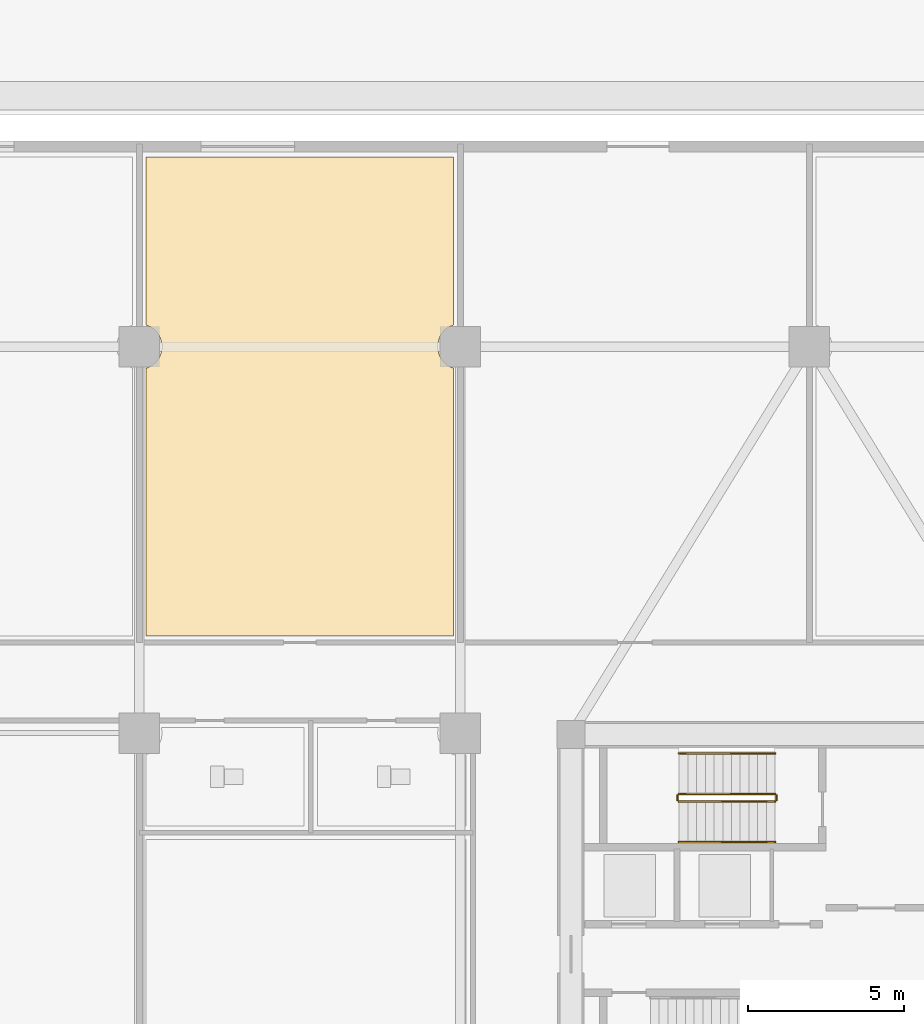
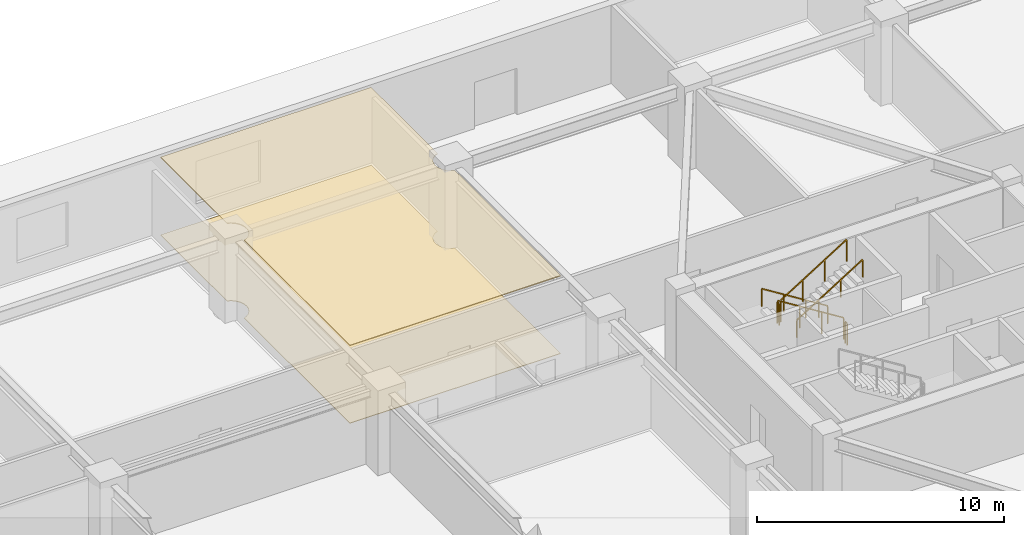
# One storey, part 19 of 22: 6 railings, 2 coverings.
"""IFC4 building model written with IfcOpenShell, lengths in metres."""

from ifc_helpers import new_model, si_unit, direction, frame, origin, origin_2d, place, context, subcontext, project, spatial, polyline, rectangle, outline, extrude, material, layer, layer_set, type_object, element, save


model = new_model("IFC4")

# Units and contexts
model_context = context("Model", 3, precision=1e-05, world=origin(), true_north=direction((0.0, 1.0)))
body_context = subcontext(model_context, "Body", "Model", "MODEL_VIEW")
ifc_project = project(units=[si_unit("LENGTHUNIT", "METRE"), si_unit("AREAUNIT", "SQUARE_METRE"), si_unit("VOLUMEUNIT", "CUBIC_METRE"), si_unit("PLANEANGLEUNIT", "RADIAN"), si_unit("MASSUNIT", "GRAM", prefix="KILO")], contexts=[model_context])

# Site, building, storey
site_placement = place(None, origin())
site = spatial("IfcSite", under=ifc_project, at=site_placement, CompositionType="ELEMENT")
building_placement = place(site_placement, origin())
building = spatial("IfcBuilding", under=site, at=building_placement, Name="Norrkilde Senior Care Towers", CompositionType="ELEMENT")
storey_placement = place(building_placement, origin())
storey = spatial("IfcBuildingStorey", under=building, at=storey_placement, Name="L00", CompositionType="ELEMENT", Elevation=0.0)

# Coverings
ifc_material_1 = material(Name="Nordic Ash Timber", Category="wood")
ifc_layer_1 = layer(ifc_material_1, 0.044921875)
ifc_layer_set_1 = layer_set([ifc_layer_1], Name="Nordic Ash Timber")
covering_type_1 = type_object("IfcCoveringType", Name="Acoustic Ash Timber Slatted Ceiling 45", PredefinedType="CEILING", material=ifc_layer_set_1)
covering_1_placement = place(storey_placement, frame((0.0, 0.0, 3.8349609375)))
element("IfcCovering", 1, at=covering_1_placement, inside=storey, type_object=covering_type_1, Name="L00 Suspended Ceiling 0016", PredefinedType="CEILING", context=body_context, shape_type="SweptSolid", body=[
    extrude(outline(polyline([(6.719970703125, 9.1201171875), (6.719970703125, 17.707763671875), (6.864990234375, 17.767822265625), (7.01611328125, 17.8837890625), (7.132080078125, 18.034912109375), (7.205078125, 18.211181640625), (7.22998046875, 18.39990234375), (7.205078125, 18.5888671875), (7.132080078125, 18.764892578125), (7.01611328125, 18.916259765625), (6.864990234375, 19.0322265625), (6.719970703125, 19.09228515625), (6.719970703125, 24.47998046875), (16.580078125, 24.47998046875), (16.580078125, 19.09228515625), (16.43505859375, 19.0322265625), (16.28369140625, 18.916259765625), (16.167724609375, 18.764892578125), (16.094970703125, 18.5888671875), (16.070068359375, 18.39990234375), (16.094970703125, 18.211181640625), (16.167724609375, 18.034912109375), (16.28369140625, 17.8837890625), (16.43505859375, 17.767822265625), (16.580078125, 17.707763671875), (16.580078125, 9.1201171875), (6.719970703125, 9.1201171875)])), origin(), (0.0, 0.0, 1.0), 0.044921875),
])
ifc_material_2 = material(Name="Slip-Resistant Porcelain Stone", Category="masonry")
ifc_layer_2 = layer(ifc_material_2, 0.02490234375)
ifc_layer_set_2 = layer_set([ifc_layer_2], Name="Slip-Resistant Porcelain Stone")
covering_type_2 = type_object("IfcCoveringType", Name="Slip-Resistant Porcelain Flooring 25", PredefinedType="FLOORING", material=ifc_layer_set_2)
covering_2_placement = place(storey_placement, origin())
element("IfcCovering", 2, at=covering_2_placement, inside=storey, type_object=covering_type_2, Name="L00 Floor Finish 0016", PredefinedType="FLOORING", context=body_context, shape_type="SweptSolid", body=[
    extrude(outline(polyline([(6.719970703125, 9.1201171875), (6.719970703125, 17.707763671875), (6.864990234375, 17.767822265625), (7.01611328125, 17.8837890625), (7.132080078125, 18.034912109375), (7.205078125, 18.211181640625), (7.22998046875, 18.39990234375), (7.205078125, 18.5888671875), (7.132080078125, 18.764892578125), (7.01611328125, 18.916259765625), (6.864990234375, 19.0322265625), (6.719970703125, 19.09228515625), (6.719970703125, 24.47998046875), (16.580078125, 24.47998046875), (16.580078125, 19.09228515625), (16.43505859375, 19.0322265625), (16.28369140625, 18.916259765625), (16.167724609375, 18.764892578125), (16.094970703125, 18.5888671875), (16.070068359375, 18.39990234375), (16.094970703125, 18.211181640625), (16.167724609375, 18.034912109375), (16.28369140625, 17.8837890625), (16.43505859375, 17.767822265625), (16.580078125, 17.707763671875), (16.580078125, 9.1201171875), (6.719970703125, 9.1201171875)])), origin(), (0.0, 0.0, 1.0), 0.02490234375),
])

# Railings
ifc_material_3 = material(Name="Stainless Steel", Category="steel")
railing_type_1 = type_object("IfcRailingType", Name="Stair and Terrace Guardrail 1100", PredefinedType="GUARDRAIL", material=ifc_material_3)
railing_1_placement = place(storey_placement, frame((26.89990234375, 4.050048828125, 0.175048828125)))
element("IfcRailing", 3, at=railing_1_placement, inside=storey, type_object=railing_type_1, Name="L00 ST-E1 stair guard 1", PredefinedType="GUARDRAIL", context=body_context, shape_type="SweptSolid", body=[
    extrude(rectangle(XDim=0.048095703125, YDim=0.048095703125, at=origin_2d()), frame((0.0, 0.0, 1.076171875), z_axis=(-0.847979421464, 0.0, 0.530029150871), x_axis=(0.0, -1.0, 0.0)), (0.0, 0.0, 1.0), 3.632080078125),
    extrude(rectangle(XDim=0.0419921875, YDim=0.0419921875, at=origin_2d()), origin(), (0.0, 0.0, 1.0), 1.050048828125),
    extrude(rectangle(XDim=0.0419921875, YDim=0.0419921875, at=origin_2d()), frame((-1.026611328125, 0.0, 0.6416015625)), (0.0, 0.0, 1.0), 1.050048828125),
    extrude(rectangle(XDim=0.0419921875, YDim=0.0419921875, at=origin_2d()), frame((-2.05322265625, 0.0, 1.283447265625)), (0.0, 0.0, 1.0), 1.050048828125),
    extrude(rectangle(XDim=0.0419921875, YDim=0.0419921875, at=origin_2d()), frame((-3.079833984375, 0.0, 1.925048828125)), (0.0, 0.0, 1.0), 1.050048828125),
])
railing_2_placement = place(storey_placement, frame((23.77001953125, 4.0, 2.10009765625)))
element("IfcRailing", 4, at=railing_2_placement, inside=storey, type_object=railing_type_1, Name="L00 ST-E1 stair guard 2", PredefinedType="GUARDRAIL", context=body_context, shape_type="SweptSolid", body=[
    extrude(rectangle(XDim=0.048095703125, YDim=0.048095703125, at=origin_2d()), frame((0.0, 0.0, 1.076171875), z_axis=(0.0, -1.0, 0.0), x_axis=(1.0, 0.0, 0.0)), (0.0, 0.0, 1.0), 0.14990234375),
    extrude(rectangle(XDim=0.0419921875, YDim=0.0419921875, at=origin_2d()), origin(), (0.0, 0.0, 1.0), 1.050048828125),
    extrude(rectangle(XDim=0.0419921875, YDim=0.0419921875, at=origin_2d()), frame((0.0, -0.14990234375, 0.0)), (0.0, 0.0, 1.0), 1.050048828125),
])
railing_3_placement = place(storey_placement, frame((23.820068359375, 3.800048828125, 2.27490234375)))
element("IfcRailing", 5, at=railing_3_placement, inside=storey, type_object=railing_type_1, Name="L00 ST-E1 stair guard 3", PredefinedType="GUARDRAIL", context=body_context, shape_type="SweptSolid", body=[
    extrude(rectangle(XDim=0.048095703125, YDim=0.048095703125, at=origin_2d()), frame((0.0, 0.0, 1.076171875), z_axis=(0.847979421464, 0.0, 0.530029150871), x_axis=(0.0, 1.0, 0.0)), (0.0, 0.0, 1.0), 3.632080078125),
    extrude(rectangle(XDim=0.0419921875, YDim=0.0419921875, at=origin_2d()), origin(), (0.0, 0.0, 1.0), 1.050048828125),
    extrude(rectangle(XDim=0.0419921875, YDim=0.0419921875, at=origin_2d()), frame((1.026611328125, 0.0, 0.6416015625)), (0.0, 0.0, 1.0), 1.050048828125),
    extrude(rectangle(XDim=0.0419921875, YDim=0.0419921875, at=origin_2d()), frame((2.05322265625, 0.0, 1.283447265625)), (0.0, 0.0, 1.0), 1.050048828125),
    extrude(rectangle(XDim=0.0419921875, YDim=0.0419921875, at=origin_2d()), frame((3.079833984375, 0.0, 1.925048828125)), (0.0, 0.0, 1.0), 1.050048828125),
])
railing_4_placement = place(storey_placement, frame((26.949951171875, 4.0, 0.0)))
element("IfcRailing", 6, at=railing_4_placement, inside=storey, type_object=railing_type_1, Name="L00 ST-E1 stair guard 4", PredefinedType="GUARDRAIL", context=body_context, shape_type="SweptSolid", body=[
    extrude(rectangle(XDim=0.048095703125, YDim=0.048095703125, at=origin_2d()), frame((0.0, 0.0, 1.076171875), z_axis=(0.0, -1.0, 0.0), x_axis=(1.0, 0.0, 0.0)), (0.0, 0.0, 1.0), 0.14990234375),
    extrude(rectangle(XDim=0.0419921875, YDim=0.0419921875, at=origin_2d()), origin(), (0.0, 0.0, 1.0), 1.050048828125),
    extrude(rectangle(XDim=0.0419921875, YDim=0.0419921875, at=origin_2d()), frame((0.0, -0.14990234375, 0.0)), (0.0, 0.0, 1.0), 1.050048828125),
])
railing_type_2 = type_object("IfcRailingType", Name="Wall and Stair Handrail 900", PredefinedType="HANDRAIL", material=ifc_material_1)
railing_5_placement = place(storey_placement, frame((26.89990234375, 5.35009765625, 0.175048828125)))
element("IfcRailing", 7, at=railing_5_placement, inside=storey, type_object=railing_type_2, Name="L00 ST-E1 stair handrail 1", PredefinedType="HANDRAIL", context=body_context, shape_type="SweptSolid", body=[
    extrude(rectangle(XDim=0.048095703125, YDim=0.048095703125, at=origin_2d()), frame((0.0, 0.0, 0.8759765625), z_axis=(-0.847979421464, 0.0, 0.530029150871), x_axis=(0.0, -1.0, 0.0)), (0.0, 0.0, 1.0), 3.632080078125),
    extrude(rectangle(XDim=0.0419921875, YDim=0.0419921875, at=origin_2d()), origin(), (0.0, 0.0, 1.0), 0.849853515625),
    extrude(rectangle(XDim=0.0419921875, YDim=0.0419921875, at=origin_2d()), frame((-1.026611328125, 0.0, 0.6416015625)), (0.0, 0.0, 1.0), 0.849853515625),
    extrude(rectangle(XDim=0.0419921875, YDim=0.0419921875, at=origin_2d()), frame((-2.05322265625, 0.0, 1.283447265625)), (0.0, 0.0, 1.0), 0.849853515625),
    extrude(rectangle(XDim=0.0419921875, YDim=0.0419921875, at=origin_2d()), frame((-3.079833984375, 0.0, 1.925048828125)), (0.0, 0.0, 1.0), 0.849853515625),
])
railing_6_placement = place(storey_placement, frame((23.820068359375, 2.5, 2.27490234375)))
element("IfcRailing", 8, at=railing_6_placement, inside=storey, type_object=railing_type_2, Name="L00 ST-E1 stair handrail 2", PredefinedType="HANDRAIL", context=body_context, shape_type="SweptSolid", body=[
    extrude(rectangle(XDim=0.048095703125, YDim=0.048095703125, at=origin_2d()), frame((0.0, 0.0, 0.8759765625), z_axis=(0.847979421464, 0.0, 0.530029150871), x_axis=(0.0, 1.0, 0.0)), (0.0, 0.0, 1.0), 3.632080078125),
    extrude(rectangle(XDim=0.0419921875, YDim=0.0419921875, at=origin_2d()), origin(), (0.0, 0.0, 1.0), 0.849853515625),
    extrude(rectangle(XDim=0.0419921875, YDim=0.0419921875, at=origin_2d()), frame((1.026611328125, 0.0, 0.6416015625)), (0.0, 0.0, 1.0), 0.849853515625),
    extrude(rectangle(XDim=0.0419921875, YDim=0.0419921875, at=origin_2d()), frame((2.05322265625, 0.0, 1.283447265625)), (0.0, 0.0, 1.0), 0.849853515625),
    extrude(rectangle(XDim=0.0419921875, YDim=0.0419921875, at=origin_2d()), frame((3.079833984375, 0.0, 1.925048828125)), (0.0, 0.0, 1.0), 0.849853515625),
])

save(model, "model.ifc")
